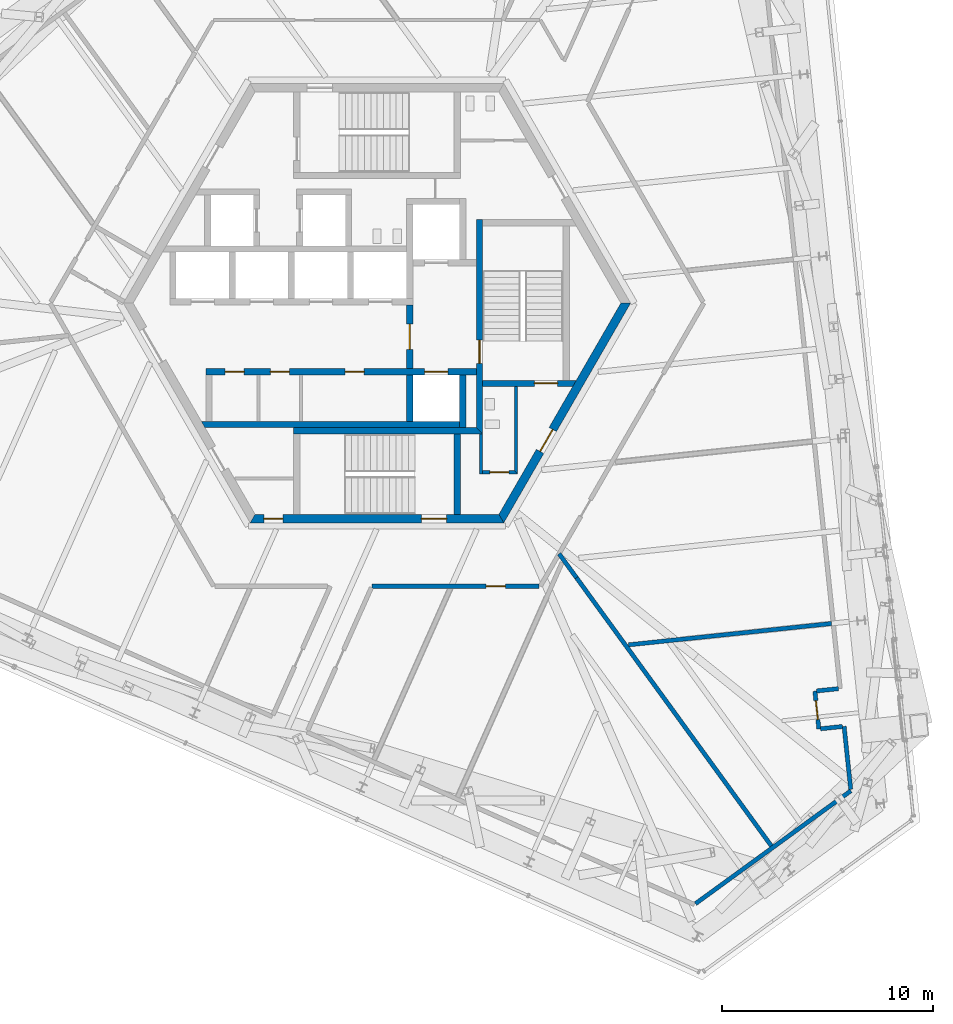
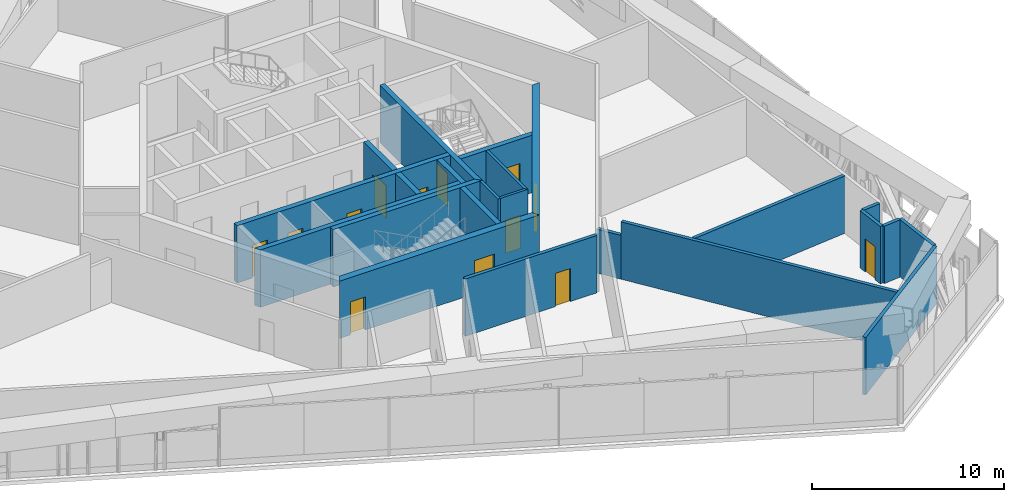
# One storey, part 18 of 30: 23 walls, 13 doors, 13 openings.
"""IFC4 building model written with IfcOpenShell, lengths in metres."""

from ifc_helpers import new_model, si_unit, direction, frame, frame_2d, origin, place, context, subcontext, project, spatial, polyline, rectangle, outline, extrude, source, transform, mapped, material, layer, layer_set, type_object, element, fill, save


model = new_model("IFC4")

# Units and contexts
model_context = context("Model", 3, precision=1e-05, world=origin(), true_north=direction((0.0, 1.0)))
body_context = subcontext(model_context, "Body", "Model", "MODEL_VIEW")
ifc_project = project(units=[si_unit("LENGTHUNIT", "METRE"), si_unit("AREAUNIT", "SQUARE_METRE"), si_unit("VOLUMEUNIT", "CUBIC_METRE"), si_unit("PLANEANGLEUNIT", "RADIAN"), si_unit("MASSUNIT", "GRAM", prefix="KILO")], contexts=[model_context])

# Site, building, storey
site_placement = place(None, origin())
site = spatial("IfcSite", under=ifc_project, at=site_placement, CompositionType="ELEMENT")
building_placement = place(site_placement, origin())
building = spatial("IfcBuilding", under=site, at=building_placement, Name="Triune Harvest Tower", CompositionType="ELEMENT")
storey_placement = place(building_placement, frame((0.0, 0.0, 94.5)))
storey = spatial("IfcBuildingStorey", under=building, at=storey_placement, Name="L23", CompositionType="ELEMENT", Elevation=94.5)

# Wall, opening, door
ifc_material_1 = material(Name="Concrete masonry unit", Category="masonry")
ifc_layer_1 = layer(ifc_material_1, 0.14990234375)
ifc_layer_set_1 = layer_set([ifc_layer_1], Name="Concrete masonry unit")
wall_type_1 = type_object("IfcWallType", Name="Block partition 150 unrated", PredefinedType="PARTITIONING", material=ifc_layer_set_1)
wall_1_placement = place(storey_placement, frame((5.0, -8.0, 0.0), z_axis=(0.0, 0.0, 1.0), x_axis=(1.0, 0.0, 0.0)))
wall_1 = element("IfcWall", 1, at=wall_1_placement, inside=storey, type_object=wall_type_1, Name="Wc acc south wall", PredefinedType="PARTITIONING", context=body_context, shape_type="SweptSolid", body=[
    extrude(outline(polyline([(0.0, -0.074951171875), (1.64990234375, -0.074951171875), (1.5, 0.074951171875), (0.0, 0.074951171875), (0.0, -0.074951171875)])), origin(), (0.0, 0.0, 1.0), 3.639892578125),
])
opening_1_placement = place(wall_1_placement, frame((0.33740234375, 0.0, 0.0)))
opening_1 = element("IfcOpeningElement", 2, at=opening_1_placement, cuts=wall_1, Name="Opening CD-WA", PredefinedType="OPENING", context=body_context, shape_type="SweptSolid", body=[
    extrude(rectangle(XDim=0.89990234375, YDim=2.10009765625, at=frame_2d((0.449951171875, 1.050048828125))), frame((0.0, 0.0849609375, 0.0), z_axis=(0.0, -1.0, 0.0), x_axis=(1.0, 0.0, 0.0)), (0.0, 0.0, 1.0), 0.169921875),
])
ifc_material_2 = material(Name="Timber C24", Category="wood")
door_type_1 = type_object("IfcDoorType", Name="WC door 900", OperationType="SINGLE_SWING_LEFT", PredefinedType="DOOR", material=ifc_material_2)
door_1_placement = place(opening_1_placement, origin())
door_1 = element("IfcDoor", 3, at=door_1_placement, inside=storey, type_object=door_type_1, Name="Door CD-WA", OperationType="SINGLE_SWING_LEFT", OverallHeight=2.10009765625, OverallWidth=0.89990234375, PredefinedType="DOOR", context=body_context, shape_type="SweptSolid", body=[
    extrude(rectangle(XDim=0.89990234375, YDim=2.10009765625, at=frame_2d((0.449951171875, 1.050048828125))), frame((0.0, 0.02490234375, 0.0), z_axis=(0.0, -1.0, 0.0), x_axis=(1.0, 0.0, 0.0)), (0.0, 0.0, 1.0), 0.050048828125),
])
fill(opening_1, door_1)

# Walls
wall_2_placement = place(storey_placement, frame((6.574951171875, -8.0, 0.0), z_axis=(0.0, 0.0, 1.0), x_axis=(0.0, 1.0, 0.0)))
element("IfcWall", 4, at=wall_2_placement, inside=storey, type_object=wall_type_1, Name="Wc acc east wall", PredefinedType="PARTITIONING", context=body_context, shape_type="SweptSolid", body=[
    extrude(outline(polyline([(-0.074951171875, -0.074951171875), (4.050048828125, -0.074951171875), (4.050048828125, 0.074951171875), (0.074951171875, 0.074951171875), (-0.074951171875, -0.074951171875)])), origin(), (0.0, 0.0, 1.0), 3.639892578125),
])
wall_3_placement = place(storey_placement, frame((4.925048828125, -8.074951171875, 0.0), z_axis=(0.0, 0.0, 1.0), x_axis=(0.0, 1.0, 0.0)))
element("IfcWall", 5, at=wall_3_placement, inside=storey, type_object=wall_type_1, Name="Wc acc west wall", PredefinedType="PARTITIONING", context=body_context, shape_type="SweptSolid", body=[
    extrude(rectangle(XDim=1.885009765625, YDim=0.14990234375, at=frame_2d((0.9423828125, 0.0))), origin(), (0.0, 0.0, 1.0), 3.639892578125),
])

# Wall, openings, doors
ifc_material_3 = material(Name="Concrete 70 MPa", Category="concrete")
ifc_layer_2 = layer(ifc_material_3, 0.300048828125)
ifc_layer_set_2 = layer_set([ifc_layer_2], Name="Concrete 70 MPa")
wall_type_2 = type_object("IfcWallType", Name="Core wall 300", PredefinedType="SHEAR", material=ifc_layer_set_2)
wall_4_placement = place(storey_placement, frame((-8.10009765625, -3.239990234375, 0.0), z_axis=(0.0, 0.0, 1.0), x_axis=(1.0, 0.0, 0.0)))
wall_4 = element("IfcWall", 6, at=wall_4_placement, inside=storey, type_object=wall_type_2, Name="South front wall", PredefinedType="SHEAR", context=body_context, shape_type="SweptSolid", body=[
    extrude(rectangle(XDim=12.800048828125, YDim=0.300048828125, at=frame_2d((6.39990234375, 0.0))), origin(), (0.0, 0.0, 1.0), 3.639892578125),
])
opening_2_placement = place(wall_4_placement, frame((0.91259765625, 0.0, 0.0)))
opening_2 = element("IfcOpeningElement", 7, at=opening_2_placement, cuts=wall_4, Name="Opening CD-RS1", PredefinedType="OPENING", context=body_context, shape_type="SweptSolid", body=[
    extrude(rectangle(XDim=0.89990234375, YDim=2.10009765625, at=frame_2d((0.449951171875, 1.050048828125))), frame((0.0, 0.16015625, 0.0), z_axis=(0.0, -1.0, 0.0), x_axis=(1.0, 0.0, 0.0)), (0.0, 0.0, 1.0), 0.320068359375),
])
opening_3_placement = place(wall_4_placement, frame((3.050048828125, 0.0, 0.0)))
opening_3 = element("IfcOpeningElement", 8, at=opening_3_placement, cuts=wall_4, Name="Opening CD-RS2", PredefinedType="OPENING", context=body_context, shape_type="SweptSolid", body=[
    extrude(rectangle(XDim=0.89990234375, YDim=2.10009765625, at=frame_2d((0.449951171875, 1.050048828125))), frame((0.0, 0.16015625, 0.0), z_axis=(0.0, -1.0, 0.0), x_axis=(1.0, 0.0, 0.0)), (0.0, 0.0, 1.0), 0.320068359375),
])
opening_4_placement = place(wall_4_placement, frame((6.58740234375, 0.0, 0.0)))
opening_4 = element("IfcOpeningElement", 9, at=opening_4_placement, cuts=wall_4, Name="Opening CD-RS3", PredefinedType="OPENING", context=body_context, shape_type="SweptSolid", body=[
    extrude(rectangle(XDim=0.89990234375, YDim=2.10009765625, at=frame_2d((0.449951171875, 1.050048828125))), frame((0.0, 0.16015625, 0.0), z_axis=(0.0, -1.0, 0.0), x_axis=(1.0, 0.0, 0.0)), (0.0, 0.0, 1.0), 0.320068359375),
])
opening_5_placement = place(wall_4_placement, frame((10.35009765625, 0.0, 0.0)))
opening_5 = element("IfcOpeningElement", 10, at=opening_5_placement, cuts=wall_4, Name="Opening LD-FF2-23", PredefinedType="OPENING", context=body_context, shape_type="SweptSolid", body=[
    extrude(rectangle(XDim=1.10009765625, YDim=2.10009765625, at=frame_2d((0.550048828125, 1.050048828125))), frame((0.0, 0.16015625, 0.0), z_axis=(0.0, -1.0, 0.0), x_axis=(1.0, 0.0, 0.0)), (0.0, 0.0, 1.0), 0.320068359375),
])
ifc_material_4 = material(Name="Stainless steel AISI 304", Category="steel")
door_type_2 = type_object("IfcDoorType", Name="Landing door 1100 x 2100", OperationType="DOUBLE_DOOR_SLIDING", PredefinedType="DOOR", material=ifc_material_4)
door_2_placement = place(opening_5_placement, origin())
door_2 = element("IfcDoor", 11, at=door_2_placement, inside=storey, type_object=door_type_2, Name="Door LD-FF2-23", OperationType="DOUBLE_DOOR_SLIDING", OverallHeight=2.10009765625, OverallWidth=1.10009765625, PredefinedType="DOOR", context=body_context, shape_type="SweptSolid", body=[
    extrude(rectangle(XDim=1.10009765625, YDim=2.10009765625, at=frame_2d((0.550048828125, 1.050048828125))), frame((0.0, 0.02490234375, 0.0), z_axis=(0.0, -1.0, 0.0), x_axis=(1.0, 0.0, 0.0)), (0.0, 0.0, 1.0), 0.050048828125),
])
fill(opening_5, door_2)
ifc_material_5 = material(Name="Steel S235", Category="steel")
door_type_3 = type_object("IfcDoorType", Name="Riser door 900 FD120", OperationType="SINGLE_SWING_LEFT", PredefinedType="DOOR", material=ifc_material_5)
door_3_placement = place(opening_2_placement, origin())
door_3 = element("IfcDoor", 12, at=door_3_placement, inside=storey, type_object=door_type_3, Name="Door CD-RS1", OperationType="SINGLE_SWING_LEFT", OverallHeight=2.10009765625, OverallWidth=0.89990234375, PredefinedType="DOOR", context=body_context, shape_type="SweptSolid", body=[
    extrude(rectangle(XDim=0.89990234375, YDim=2.10009765625, at=frame_2d((0.449951171875, 1.050048828125))), frame((0.0, 0.02490234375, 0.0), z_axis=(0.0, -1.0, 0.0), x_axis=(1.0, 0.0, 0.0)), (0.0, 0.0, 1.0), 0.050048828125),
])
fill(opening_2, door_3)
door_4_placement = place(opening_3_placement, origin())
door_4 = element("IfcDoor", 13, at=door_4_placement, inside=storey, type_object=door_type_3, Name="Door CD-RS2", OperationType="SINGLE_SWING_LEFT", OverallHeight=2.10009765625, OverallWidth=0.89990234375, PredefinedType="DOOR", context=body_context, shape_type="SweptSolid", body=[
    extrude(rectangle(XDim=0.89990234375, YDim=2.10009765625, at=frame_2d((0.449951171875, 1.050048828125))), frame((0.0, 0.02490234375, 0.0), z_axis=(0.0, -1.0, 0.0), x_axis=(1.0, 0.0, 0.0)), (0.0, 0.0, 1.0), 0.050048828125),
])
fill(opening_3, door_4)
door_5_placement = place(opening_4_placement, origin())
door_5 = element("IfcDoor", 14, at=door_5_placement, inside=storey, type_object=door_type_3, Name="Door CD-RS3", OperationType="SINGLE_SWING_LEFT", OverallHeight=2.10009765625, OverallWidth=0.89990234375, PredefinedType="DOOR", context=body_context, shape_type="SweptSolid", body=[
    extrude(rectangle(XDim=0.89990234375, YDim=2.10009765625, at=frame_2d((0.449951171875, 1.050048828125))), frame((0.0, 0.02490234375, 0.0), z_axis=(0.0, -1.0, 0.0), x_axis=(1.0, 0.0, 0.0)), (0.0, 0.0, 1.0), 0.050048828125),
])
fill(opening_4, door_5)

# Wall
wall_5_placement = place(storey_placement, frame((-8.10009765625, -5.739990234375, 0.0), z_axis=(0.0, 0.0, 1.0), x_axis=(1.0, 0.0, 0.0)))
element("IfcWall", 15, at=wall_5_placement, inside=storey, type_object=wall_type_2, Name="South back wall", PredefinedType="SHEAR", context=body_context, shape_type="SweptSolid", body=[
    extrude(outline(polyline([(12.0, -0.14990234375), (-0.039794921875, -0.14990234375), (-0.212890625, 0.14990234375), (12.0, 0.14990234375), (12.0, -0.14990234375)])), origin(), (0.0, 0.0, 1.0), 3.639892578125),
])

# Wall, opening, door
wall_6_placement = place(storey_placement, frame((4.85009765625, -6.0400390625, 0.0), z_axis=(0.0, 0.0, 1.0), x_axis=(0.0, 1.0, 0.0)))
wall_6 = element("IfcWall", 16, at=wall_6_placement, inside=storey, type_object=wall_type_2, Name="Stair e west wall", PredefinedType="SHEAR", context=body_context, shape_type="SweptSolid", body=[
    extrude(outline(polyline([(-0.14990234375, -0.14990234375), (9.989990234375, -0.14990234375), (9.989990234375, 0.14990234375), (0.14990234375, 0.14990234375), (-0.14990234375, -0.14990234375)])), origin(), (0.0, 0.0, 1.0), 3.639892578125),
])
opening_6_placement = place(wall_6_placement, frame((3.18994140625, 0.0, 0.0)))
opening_6 = element("IfcOpeningElement", 17, at=opening_6_placement, cuts=wall_6, Name="Opening CD-S3L", PredefinedType="OPENING", context=body_context, shape_type="SweptSolid", body=[
    extrude(rectangle(XDim=1.10009765625, YDim=2.10009765625, at=frame_2d((0.550048828125, 1.050048828125))), frame((0.0, 0.16015625, 0.0), z_axis=(0.0, -1.0, 0.0), x_axis=(1.0, 0.0, 0.0)), (0.0, 0.0, 1.0), 0.320068359375),
])
ifc_material_6 = material(Name="Steel S235", Category="steel")
door_type_4 = type_object("IfcDoorType", Name="Stair door 1100 FD120", OperationType="SINGLE_SWING_LEFT", PredefinedType="DOOR", material=ifc_material_6)
door_6_placement = place(opening_6_placement, frame((1.10009765625, 0.0, 0.0), z_axis=(0.0, 0.0, 1.0), x_axis=(-1.0, 0.0, 0.0)))
door_6 = element("IfcDoor", 18, at=door_6_placement, inside=storey, type_object=door_type_4, Name="Door CD-S3L", OperationType="SINGLE_SWING_RIGHT", OverallHeight=2.10009765625, OverallWidth=1.10009765625, PredefinedType="DOOR", context=body_context, shape_type="SweptSolid", body=[
    extrude(rectangle(XDim=1.10009765625, YDim=2.10009765625, at=frame_2d((0.550048828125, 1.050048828125))), frame((0.0, 0.02490234375, 0.0), z_axis=(0.0, -1.0, 0.0), x_axis=(1.0, 0.0, 0.0)), (0.0, 0.0, 1.0), 0.050048828125),
])
fill(opening_6, door_6)

wall_7_placement = place(storey_placement, frame((5.0, -3.800048828125, 0.0), z_axis=(0.0, 0.0, 1.0), x_axis=(1.0, 0.0, 0.0)))
wall_7 = element("IfcWall", 19, at=wall_7_placement, inside=storey, type_object=wall_type_2, Name="Stair e south wall", PredefinedType="SHEAR", context=body_context, shape_type="SweptSolid", body=[
    extrude(outline(polyline([(0.0, -0.14990234375), (0.0, 0.14990234375), (4.43310546875, 0.14990234375), (4.260009765625, -0.14990234375), (0.0, -0.14990234375)])), origin(), (0.0, 0.0, 1.0), 3.639892578125),
])
opening_7_placement = place(wall_7_placement, frame((2.449951171875, 0.0, 0.0)))
opening_7 = element("IfcOpeningElement", 20, at=opening_7_placement, cuts=wall_7, Name="Opening CD-S3D", PredefinedType="OPENING", context=body_context, shape_type="SweptSolid", body=[
    extrude(rectangle(XDim=1.10009765625, YDim=2.10009765625, at=frame_2d((0.550048828125, 1.050048828125))), frame((0.0, 0.16015625, 0.0), z_axis=(0.0, -1.0, 0.0), x_axis=(1.0, 0.0, 0.0)), (0.0, 0.0, 1.0), 0.320068359375),
])
door_7_placement = place(opening_7_placement, frame((1.10009765625, 0.0, 0.0), z_axis=(0.0, 0.0, 1.0), x_axis=(-1.0, 0.0, 0.0)))
door_7 = element("IfcDoor", 21, at=door_7_placement, inside=storey, type_object=door_type_4, Name="Door CD-S3D", OperationType="SINGLE_SWING_RIGHT", OverallHeight=2.10009765625, OverallWidth=1.10009765625, PredefinedType="DOOR", context=body_context, shape_type="SweptSolid", body=[
    extrude(rectangle(XDim=1.10009765625, YDim=2.10009765625, at=frame_2d((0.550048828125, 1.050048828125))), frame((0.0, 0.02490234375, 0.0), z_axis=(0.0, -1.0, 0.0), x_axis=(1.0, 0.0, 0.0)), (0.0, 0.0, 1.0), 0.050048828125),
])
fill(opening_7, door_7)

# Walls
wall_8_placement = place(storey_placement, frame((-3.949951171875, -6.0400390625, 0.0), z_axis=(0.0, 0.0, 1.0), x_axis=(1.0, 0.0, 0.0)))
element("IfcWall", 22, at=wall_8_placement, inside=storey, type_object=wall_type_2, Name="Stair s north wall", PredefinedType="SHEAR", context=body_context, shape_type="SweptSolid", body=[
    extrude(outline(polyline([(0.0, -0.14990234375), (8.949951171875, -0.14990234375), (8.64990234375, 0.14990234375), (0.0, 0.14990234375), (0.0, -0.14990234375)])), origin(), (0.0, 0.0, 1.0), 3.639892578125),
])
ifc_material_7 = material(Name="Gypsum board on steel studs", Category="steel")
ifc_layer_3 = layer(ifc_material_7, 0.199951171875)
ifc_layer_set_3 = layer_set([ifc_layer_3], Name="Gypsum board on steel studs")
wall_type_3 = type_object("IfcWallType", Name="Fire Wall 200 mm", PredefinedType="PARTITIONING", material=ifc_layer_set_3)
wall_9_placement = place(storey_placement, frame((22.10205078125, -20.024169921875, 0.0), z_axis=(0.0, 0.0, 1.0), x_axis=(0.104527866975, -0.994521958041, 0.0)))
element("IfcWall", 23, at=wall_9_placement, inside=storey, type_object=wall_type_3, Name="Partition L23 005", PredefinedType="PARTITIONING", context=body_context, shape_type="SweptSolid", body=[
    extrude(rectangle(XDim=2.99658203125, YDim=0.199951171875, at=frame_2d((1.498291015625, 0.0))), origin(), (0.0, 0.0, 1.0), 3.639892578125),
])
wall_10_placement = place(storey_placement, frame((8.61669921875, -11.860107421875, 0.0), z_axis=(0.0, 0.0, 1.0), x_axis=(0.587892016581, -0.808939414815, 0.0)))
element("IfcWall", 24, at=wall_10_placement, inside=storey, type_object=wall_type_3, Name="Partition L23 013", PredefinedType="PARTITIONING", context=body_context, shape_type="SweptSolid", body=[
    extrude(rectangle(XDim=1.401611328125, YDim=0.199951171875, at=frame_2d((0.70068359375, 0.0))), origin(), (0.0, 0.0, 1.0), 2.781494140625),
])
wall_11_placement = place(storey_placement, frame((9.440673828125, -12.993896484375, 0.0), z_axis=(0.0, 0.0, 1.0), x_axis=(0.58780563363, -0.809002186074, 0.0)))
element("IfcWall", 25, at=wall_11_placement, inside=storey, type_object=wall_type_3, Name="Partition L23 013a", PredefinedType="PARTITIONING", context=body_context, shape_type="SweptSolid", body=[
    extrude(rectangle(XDim=15.785400390625, YDim=0.199951171875, at=frame_2d((7.892578125, 0.0))), origin(), (0.0, 0.0, 1.0), 3.639892578125),
])

# Wall, opening, door
wall_12_placement = place(storey_placement, frame((-0.236328125, -13.392333984375, 0.0), z_axis=(0.0, 0.0, 1.0), x_axis=(1.0, 0.0, 0.0)))
wall_12 = element("IfcWall", 26, at=wall_12_placement, inside=storey, type_object=wall_type_3, Name="Partition L23 029", PredefinedType="PARTITIONING", context=body_context, shape_type="SweptSolid", body=[
    extrude(rectangle(XDim=7.8984375, YDim=0.199951171875, at=frame_2d((3.94921875, 0.0))), origin(), (0.0, 0.0, 1.0), 3.639892578125),
])
opening_8_placement = place(wall_12_placement, frame((5.40576171875, 0.0, 0.0)))
opening_8 = element("IfcOpeningElement", 27, at=opening_8_placement, cuts=wall_12, Name="Opening L23-018", PredefinedType="OPENING", context=body_context, shape_type="SweptSolid", body=[
    extrude(rectangle(XDim=0.89990234375, YDim=2.10009765625, at=frame_2d((0.449951171875, 1.050048828125))), frame((0.0, 0.10986328125, 0.0), z_axis=(0.0, -1.0, 0.0), x_axis=(1.0, 0.0, 0.0)), (0.0, 0.0, 1.0), 0.219970703125),
])
ifc_material_8 = material(Name="Timber and steel door set", Category="steel")
door_type_5 = type_object("IfcDoorType", Name="Single leaf door FD60 left hand 900 x 2100", OperationType="SINGLE_SWING_LEFT", PredefinedType="DOOR", material=ifc_material_8)
door_8_placement = place(opening_8_placement, origin())
door_8 = element("IfcDoor", 28, at=door_8_placement, inside=storey, type_object=door_type_5, Name="Door L23-018 Electrical Plant Room 23.18", OperationType="SINGLE_SWING_LEFT", OverallHeight=2.10009765625, OverallWidth=0.89990234375, PredefinedType="DOOR", context=body_context, shape_type="SweptSolid", body=[
    extrude(rectangle(XDim=0.89990234375, YDim=2.10009765625, at=frame_2d((0.449951171875, 1.050048828125))), frame((0.0, 0.02490234375, 0.0), z_axis=(0.0, -1.0, 0.0), x_axis=(1.0, 0.0, 0.0)), (0.0, 0.0, 1.0), 0.050048828125),
])
fill(opening_8, door_8)

# Walls
wall_13_placement = place(storey_placement, frame((20.988037109375, -20.140869140625, 0.0), z_axis=(0.0, 0.0, 1.0), x_axis=(0.99452730112, 0.104477018177, 0.0)))
element("IfcWall", 29, at=wall_13_placement, inside=storey, type_object=wall_type_3, Name="Partition L23 033", PredefinedType="PARTITIONING", context=body_context, shape_type="SweptSolid", body=[
    extrude(rectangle(XDim=1.039794921875, YDim=0.199951171875, at=frame_2d((0.52001953125, 0.0))), origin(), (0.0, 0.0, 1.0), 3.639892578125),
])
wall_14_placement = place(storey_placement, frame((15.072021484375, -28.414306640625, 0.0), z_axis=(0.0, 0.0, 1.0), x_axis=(0.809013703269, 0.587789782085, 0.0)))
element("IfcWall", 30, at=wall_14_placement, inside=storey, type_object=wall_type_3, Name="Partition L23 039", PredefinedType="PARTITIONING", context=body_context, shape_type="SweptSolid", body=[
    extrude(rectangle(XDim=9.0859375, YDim=0.199951171875, at=frame_2d((4.54296875, 0.0))), origin(), (0.0, 0.0, 1.0), 3.639892578125),
])

# Wall, openings, doors
ifc_material_9 = material(Name="Concrete 70 MPa", Category="concrete")
ifc_layer_4 = layer(ifc_material_9, 0.39990234375)
ifc_layer_set_4 = layer_set([ifc_layer_4], Name="Concrete 70 MPa")
wall_type_4 = type_object("IfcWallType", Name="Core wall 400", PredefinedType="SHEAR", material=ifc_layer_set_4)
shared_shape_1 = source(origin(), body_context, "Body", "SweptSolid", [
    extrude(outline(polyline([(-0.115478515625, -0.199951171875), (11.884521484375, -0.199951171875), (11.653564453125, 0.199951171875), (0.115478515625, 0.199951171875), (-0.115478515625, -0.199951171875)])), origin(), (0.0, 0.0, 1.0), 3.639892578125),
])
wall_15_placement = place(storey_placement, frame((-5.884521484375, -10.1923828125, 0.0), z_axis=(0.0, 0.0, 1.0), x_axis=(1.0, 0.0, 0.0)))
wall_15 = element("IfcWall", 31, at=wall_15_placement, inside=storey, type_object=wall_type_4, Name="Hexagon 4 wall", PredefinedType="SHEAR", context=body_context, shape_type="MappedRepresentation", body=[
    mapped(shared_shape_1, transform((0.0, 0.0, 0.0), scale=1.0)),
])
opening_9_placement = place(wall_15_placement, frame((7.984619140625, 0.0, 0.0)))
opening_9 = element("IfcOpeningElement", 32, at=opening_9_placement, cuts=wall_15, Name="Opening CD-S2P", PredefinedType="OPENING", context=body_context, shape_type="SweptSolid", body=[
    extrude(rectangle(XDim=1.199951171875, YDim=2.10009765625, at=frame_2d((0.60009765625, 1.050048828125))), frame((0.0, 0.2099609375, 0.0), z_axis=(0.0, -1.0, 0.0), x_axis=(1.0, 0.0, 0.0)), (0.0, 0.0, 1.0), 0.419921875),
])
opening_10_placement = place(wall_15_placement, frame((0.534423828125, 0.0, 0.0)))
opening_10 = element("IfcOpeningElement", 33, at=opening_10_placement, cuts=wall_15, Name="Opening CD-SWS", PredefinedType="OPENING", context=body_context, shape_type="SweptSolid", body=[
    extrude(rectangle(XDim=0.89990234375, YDim=2.10009765625, at=frame_2d((0.449951171875, 1.050048828125))), frame((0.0, 0.2099609375, 0.0), z_axis=(0.0, -1.0, 0.0), x_axis=(1.0, 0.0, 0.0)), (0.0, 0.0, 1.0), 0.419921875),
])
door_9_placement = place(opening_10_placement, frame((0.89990234375, 0.0, 0.0), z_axis=(0.0, 0.0, 1.0), x_axis=(-1.0, 0.0, 0.0)))
door_9 = element("IfcDoor", 34, at=door_9_placement, inside=storey, type_object=door_type_3, Name="Door CD-SWS", OperationType="SINGLE_SWING_RIGHT", OverallHeight=2.10009765625, OverallWidth=0.89990234375, PredefinedType="DOOR", context=body_context, shape_type="SweptSolid", body=[
    extrude(rectangle(XDim=0.89990234375, YDim=2.10009765625, at=frame_2d((0.449951171875, 1.050048828125))), frame((0.0, 0.02490234375, 0.0), z_axis=(0.0, -1.0, 0.0), x_axis=(1.0, 0.0, 0.0)), (0.0, 0.0, 1.0), 0.050048828125),
])
fill(opening_10, door_9)
ifc_material_10 = material(Name="Steel S235", Category="steel")
door_type_6 = type_object("IfcDoorType", Name="Stair door 1200 FD120", OperationType="SINGLE_SWING_LEFT", PredefinedType="DOOR", material=ifc_material_10)
door_10_placement = place(opening_9_placement, frame((1.199951171875, 0.0, 0.0), z_axis=(0.0, 0.0, 1.0), x_axis=(-1.0, 0.0, 0.0)))
door_10 = element("IfcDoor", 35, at=door_10_placement, inside=storey, type_object=door_type_6, Name="Door CD-S2P", OperationType="SINGLE_SWING_RIGHT", OverallHeight=2.10009765625, OverallWidth=1.199951171875, PredefinedType="DOOR", context=body_context, shape_type="SweptSolid", body=[
    extrude(rectangle(XDim=1.199951171875, YDim=2.10009765625, at=frame_2d((0.60009765625, 1.050048828125))), frame((0.0, 0.02490234375, 0.0), z_axis=(0.0, -1.0, 0.0), x_axis=(1.0, 0.0, 0.0)), (0.0, 0.0, 1.0), 0.050048828125),
])
fill(opening_9, door_10)

# Wall, opening, door
wall_16_placement = place(storey_placement, frame((5.884521484375, -10.1923828125, 0.0), z_axis=(0.0, 0.0, 1.0), x_axis=(0.499996592174, 0.866027371285, 0.0)))
wall_16 = element("IfcWall", 36, at=wall_16_placement, inside=storey, type_object=wall_type_4, Name="Hexagon 5 wall", PredefinedType="SHEAR", context=body_context, shape_type="MappedRepresentation", body=[
    mapped(shared_shape_1, transform((0.0, 0.0, 0.0), scale=1.0)),
])
opening_11_placement = place(wall_16_placement, frame((3.66455078125, 0.0, 0.0)))
opening_11 = element("IfcOpeningElement", 37, at=opening_11_placement, cuts=wall_16, Name="Opening CD-DP", PredefinedType="OPENING", context=body_context, shape_type="SweptSolid", body=[
    extrude(rectangle(XDim=1.199951171875, YDim=2.10009765625, at=frame_2d((0.60009765625, 1.050048828125))), frame((0.0, 0.2099609375, 0.0), z_axis=(0.0, -1.0, 0.0), x_axis=(1.0, 0.0, 0.0)), (0.0, 0.0, 1.0), 0.419921875),
])
door_11_placement = place(opening_11_placement, frame((1.199951171875, 0.0, 0.0), z_axis=(0.0, 0.0, 1.0), x_axis=(-1.0, 0.0, 0.0)))
door_11 = element("IfcDoor", 38, at=door_11_placement, inside=storey, type_object=door_type_6, Name="Door CD-DP", OperationType="SINGLE_SWING_RIGHT", OverallHeight=2.10009765625, OverallWidth=1.199951171875, PredefinedType="DOOR", context=body_context, shape_type="SweptSolid", body=[
    extrude(rectangle(XDim=1.199951171875, YDim=2.10009765625, at=frame_2d((0.60009765625, 1.050048828125))), frame((0.0, 0.02490234375, 0.0), z_axis=(0.0, -1.0, 0.0), x_axis=(1.0, 0.0, 0.0)), (0.0, 0.0, 1.0), 0.050048828125),
])
fill(opening_11, door_11)

# Wall
shared_shape_2 = source(origin(), body_context, "Body", "SweptSolid", [
    extrude(rectangle(XDim=2.5, YDim=0.300048828125, at=frame_2d((1.25, 0.0))), origin(), (0.0, 0.0, 1.0), 3.639892578125),
])
wall_17_placement = place(storey_placement, frame((4.050048828125, -5.889892578125, 0.0), z_axis=(0.0, 0.0, 1.0), x_axis=(0.0, 1.0, 0.0)))
element("IfcWall", 39, at=wall_17_placement, inside=storey, type_object=wall_type_2, Name="Ff2 east wall", PredefinedType="SHEAR", context=body_context, shape_type="MappedRepresentation", body=[
    mapped(shared_shape_2, transform((0.0, 0.0, 0.0), scale=1.0)),
])

# Wall, opening, door
shared_shape_3 = source(origin(), body_context, "Body", "SweptSolid", [
    extrude(rectangle(XDim=3.0, YDim=0.300048828125, at=frame_2d((1.5, 0.0))), origin(), (0.0, 0.0, 1.0), 3.639892578125),
])
wall_18_placement = place(storey_placement, frame((1.550048828125, -3.090087890625, 0.0), z_axis=(0.0, 0.0, 1.0), x_axis=(0.0, 1.0, 0.0)))
wall_18 = element("IfcWall", 40, at=wall_18_placement, inside=storey, type_object=wall_type_2, Name="Ff lobby west wall", PredefinedType="SHEAR", context=body_context, shape_type="MappedRepresentation", body=[
    mapped(shared_shape_3, transform((0.0, 0.0, 0.0), scale=1.0)),
])
opening_12_placement = place(wall_18_placement, frame((0.89990234375, 0.0, 0.0)))
opening_12 = element("IfcOpeningElement", 41, at=opening_12_placement, cuts=wall_18, Name="Opening CD-FL", PredefinedType="OPENING", context=body_context, shape_type="SweptSolid", body=[
    extrude(rectangle(XDim=1.199951171875, YDim=2.10009765625, at=frame_2d((0.60009765625, 1.050048828125))), frame((0.0, 0.16015625, 0.0), z_axis=(0.0, -1.0, 0.0), x_axis=(1.0, 0.0, 0.0)), (0.0, 0.0, 1.0), 0.320068359375),
])
ifc_material_11 = material(Name="Steel S235", Category="steel")
door_type_7 = type_object("IfcDoorType", Name="Firefighters' lobby door 1200 FD120", OperationType="SINGLE_SWING_LEFT", PredefinedType="DOOR", material=ifc_material_11)
door_12_placement = place(opening_12_placement, frame((1.199951171875, 0.0, 0.0), z_axis=(0.0, 0.0, 1.0), x_axis=(-1.0, 0.0, 0.0)))
door_12 = element("IfcDoor", 42, at=door_12_placement, inside=storey, type_object=door_type_7, Name="Door CD-FL", OperationType="SINGLE_SWING_RIGHT", OverallHeight=2.10009765625, OverallWidth=1.199951171875, PredefinedType="DOOR", context=body_context, shape_type="SweptSolid", body=[
    extrude(rectangle(XDim=1.199951171875, YDim=2.10009765625, at=frame_2d((0.60009765625, 1.050048828125))), frame((0.0, 0.02490234375, 0.0), z_axis=(0.0, -1.0, 0.0), x_axis=(1.0, 0.0, 0.0)), (0.0, 0.0, 1.0), 0.050048828125),
])
fill(opening_12, door_12)

# Walls
shared_shape_4 = source(origin(), body_context, "Body", "SweptSolid", [
    extrude(rectangle(XDim=2.2001953125, YDim=0.300048828125, at=frame_2d((1.10009765625, 0.0))), origin(), (0.0, 0.0, 1.0), 3.639892578125),
])
wall_19_placement = place(storey_placement, frame((1.550048828125, -5.590087890625, 0.0), z_axis=(0.0, 0.0, 1.0), x_axis=(0.0, 1.0, 0.0)))
element("IfcWall", 43, at=wall_19_placement, inside=storey, type_object=wall_type_2, Name="Ff2 west wall", PredefinedType="SHEAR", context=body_context, shape_type="MappedRepresentation", body=[
    mapped(shared_shape_4, transform((0.0, 0.0, 0.0), scale=1.0)),
])
shared_shape_5 = source(origin(), body_context, "Body", "SweptSolid", [
    extrude(outline(polyline([(3.800048828125, -0.14990234375), (-0.00439453125, -0.14990234375), (-0.00439453125, 0.14990234375), (3.800048828125, 0.14990234375), (3.800048828125, -0.14990234375)])), origin(), (0.0, 0.0, 1.0), 3.639892578125),
])
wall_20_placement = place(storey_placement, frame((3.800048828125, -9.989990234375, 0.0), z_axis=(0.0, 0.0, 1.0), x_axis=(0.0, 1.0, 0.0)))
element("IfcWall", 44, at=wall_20_placement, inside=storey, type_object=wall_type_2, Name="Stair s east wall", PredefinedType="SHEAR", context=body_context, shape_type="MappedRepresentation", body=[
    mapped(shared_shape_5, transform((0.0, 0.0, 0.0), scale=1.0)),
])

# Wall, opening, door
shared_shape_6 = source(origin(), body_context, "Body", "SweptSolid", [
    extrude(rectangle(XDim=1.800048828125, YDim=0.199951171875, at=frame_2d((0.89990234375, 0.0))), origin(), (0.0, 0.0, 1.0), 3.639892578125),
])
wall_21_placement = place(storey_placement, frame((20.72021484375, -18.359130859375, 0.0), z_axis=(0.0, 0.0, 1.0), x_axis=(0.104564767339, -0.994518078987, 0.0)))
wall_21 = element("IfcWall", 45, at=wall_21_placement, inside=storey, type_object=wall_type_3, Name="Partition L23 003", PredefinedType="PARTITIONING", context=body_context, shape_type="MappedRepresentation", body=[
    mapped(shared_shape_6, transform((0.0, 0.0, 0.0), scale=1.0)),
])
opening_13_placement = place(wall_21_placement, frame((0.449951171875, 0.0, 0.0)))
opening_13 = element("IfcOpeningElement", 46, at=opening_13_placement, cuts=wall_21, Name="Opening L23-001", PredefinedType="OPENING", context=body_context, shape_type="SweptSolid", body=[
    extrude(rectangle(XDim=0.89990234375, YDim=2.10009765625, at=frame_2d((0.449951171875, 1.050048828125))), frame((0.0, 0.10986328125, 0.0), z_axis=(0.0, -1.0, 0.0), x_axis=(1.0, 0.0, 0.0)), (0.0, 0.0, 1.0), 0.219970703125),
])
door_13_placement = place(opening_13_placement, origin())
door_13 = element("IfcDoor", 47, at=door_13_placement, inside=storey, type_object=door_type_5, Name="Door L23-001 Plant room 23.01", OperationType="SINGLE_SWING_LEFT", OverallHeight=2.10009765625, OverallWidth=0.89990234375, PredefinedType="DOOR", context=body_context, shape_type="SweptSolid", body=[
    extrude(rectangle(XDim=0.89990234375, YDim=2.10009765625, at=frame_2d((0.449951171875, 1.050048828125))), frame((0.0, 0.02490234375, 0.0), z_axis=(0.0, -1.0, 0.0), x_axis=(1.0, 0.0, 0.0)), (0.0, 0.0, 1.0), 0.050048828125),
])
fill(opening_13, door_13)

# Walls
shared_shape_7 = source(origin(), body_context, "Body", "SweptSolid", [
    extrude(rectangle(XDim=9.6552734375, YDim=0.199951171875, at=frame_2d((4.82763671875, 0.0))), origin(), (0.0, 0.0, 1.0), 3.639892578125),
])
wall_22_placement = place(storey_placement, frame((11.90771484375, -16.168212890625, 0.0), z_axis=(0.0, 0.0, 1.0), x_axis=(0.994524141768, 0.104507087995, 0.0)))
element("IfcWall", 48, at=wall_22_placement, inside=storey, type_object=wall_type_3, Name="Partition L23 035", PredefinedType="PARTITIONING", context=body_context, shape_type="MappedRepresentation", body=[
    mapped(shared_shape_7, transform((0.0, 0.0, 0.0), scale=1.0)),
])
shared_shape_8 = source(origin(), body_context, "Body", "SweptSolid", [
    extrude(rectangle(XDim=1.0400390625, YDim=0.199951171875, at=frame_2d((0.52001953125, 0.0))), origin(), (0.0, 0.0, 1.0), 3.639892578125),
])
wall_23_placement = place(storey_placement, frame((20.7998046875, -18.350830078125, 0.0), z_axis=(0.0, 0.0, 1.0), x_axis=(0.994529862949, 0.104452628986, 0.0)))
element("IfcWall", 49, at=wall_23_placement, inside=storey, type_object=wall_type_3, Name="Partition L23 034", PredefinedType="PARTITIONING", context=body_context, shape_type="MappedRepresentation", body=[
    mapped(shared_shape_8, transform((0.0, 0.0, 0.0), scale=1.0)),
])

save(model, "model.ifc")
